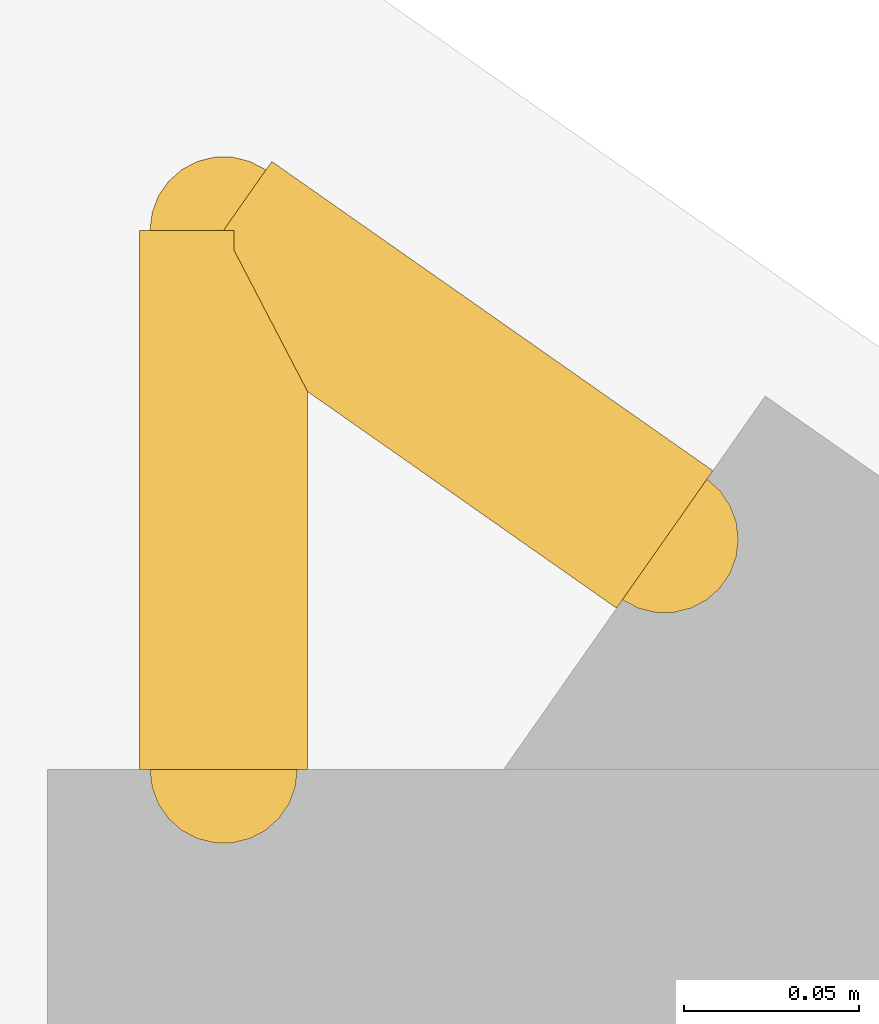
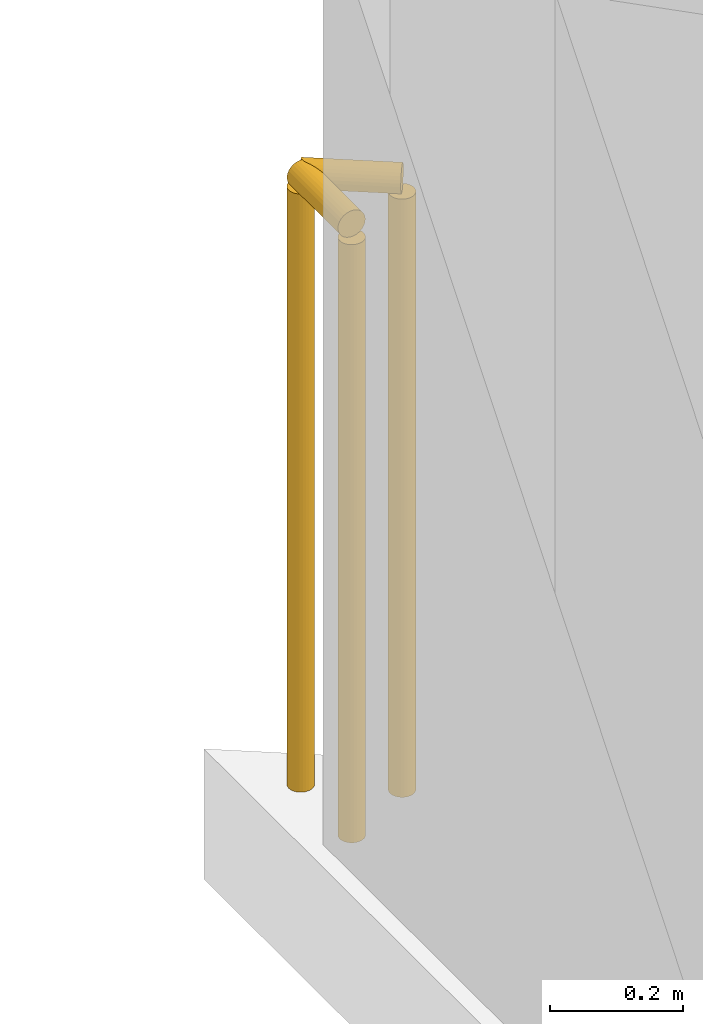
# One storey, part 16 of 16: 2 railings.
"""IFC4 building model written with IfcOpenShell, lengths in metres."""

from ifc_helpers import new_model, si_unit, direction, frame, origin, origin_2d, place, context, subcontext, project, spatial, circle, extrude, material, type_object, element, save


model = new_model("IFC4")

# Units and contexts
model_context = context("Model", 3, precision=1e-05, world=origin(), true_north=direction((0.0, 1.0)))
body_context = subcontext(model_context, "Body", "Model", "MODEL_VIEW")
ifc_project = project(units=[si_unit("LENGTHUNIT", "METRE"), si_unit("AREAUNIT", "SQUARE_METRE"), si_unit("VOLUMEUNIT", "CUBIC_METRE"), si_unit("PLANEANGLEUNIT", "RADIAN"), si_unit("MASSUNIT", "GRAM", prefix="KILO")], contexts=[model_context])

# Site, building, storey
site_placement = place(None, origin())
site = spatial("IfcSite", under=ifc_project, at=site_placement, CompositionType="ELEMENT")
building_placement = place(site_placement, origin())
building = spatial("IfcBuilding", under=site, at=building_placement, Name="Varnakote Quay Hospital", CompositionType="ELEMENT")
storey_placement = place(building_placement, frame((0.0, 0.0, 223.699951171875)))
storey = spatial("IfcBuildingStorey", under=building, at=storey_placement, Name="L55", CompositionType="ELEMENT", Elevation=223.699951171875)

# Railings
ifc_material = material(Name="Anodised aluminium 6063-T6 Bronze", Category="aluminium")
railing_type = type_object("IfcRailingType", Name="RLG-EXT-GUARD-1150", PredefinedType="GUARDRAIL", material=ifc_material)
railing_1_placement = place(storey_placement, frame((2.580078125, 42.492431640625, 0.0)))
element("IfcRailing", 1, at=railing_1_placement, inside=storey, type_object=railing_type, Name="L55 Slab Edge Perimeter Safety Guard", PredefinedType="GUARDRAIL", context=body_context, shape_type="SweptSolid", body=[
    extrude(circle(Radius=0.02392578125, at=origin_2d()), frame((0.0, 0.0, 1.1259765625), z_axis=(0.0, 1.0, 0.0), x_axis=(-1.0, 0.0, 0.0)), (0.0, 0.0, 1.0), 0.15380859375),
    extrude(circle(Radius=0.02099609375, at=origin_2d()), origin(), (0.0, 0.0, 1.0), 1.101806640625),
    extrude(circle(Radius=0.02099609375, at=origin_2d()), frame((0.0, 0.15380859375, 0.0)), (0.0, 0.0, 1.0), 1.101806640625),
])
railing_2_placement = place(storey_placement, frame((2.580078125, 42.646240234375, 0.0)))
element("IfcRailing", 2, at=railing_2_placement, inside=storey, type_object=railing_type, Name="L55 Slab Edge Perimeter Safety Guard", PredefinedType="GUARDRAIL", context=body_context, shape_type="SweptSolid", body=[
    extrude(circle(Radius=0.02392578125, at=origin_2d()), frame((0.0, 0.0, 1.1259765625), z_axis=(0.818858253068, -0.57399578516, 0.0), x_axis=(0.57399578516, 0.818858253068, 0.0)), (0.0, 0.0, 1.0), 0.153564453125),
    extrude(circle(Radius=0.02099609375, at=origin_2d()), origin(), (0.0, 0.0, 1.0), 1.101806640625),
    extrude(circle(Radius=0.02099609375, at=origin_2d()), frame((0.125732421875, -0.088134765625, 0.0)), (0.0, 0.0, 1.0), 1.101806640625),
])

save(model, "model.ifc")
